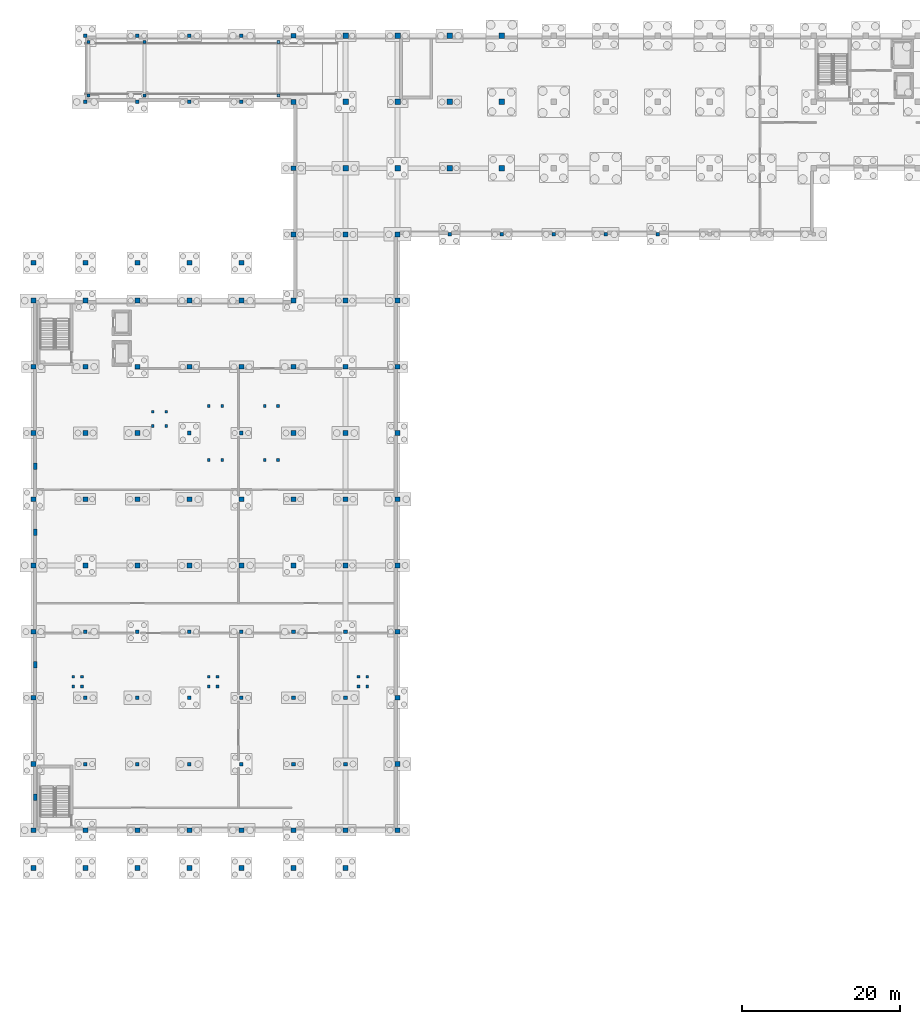
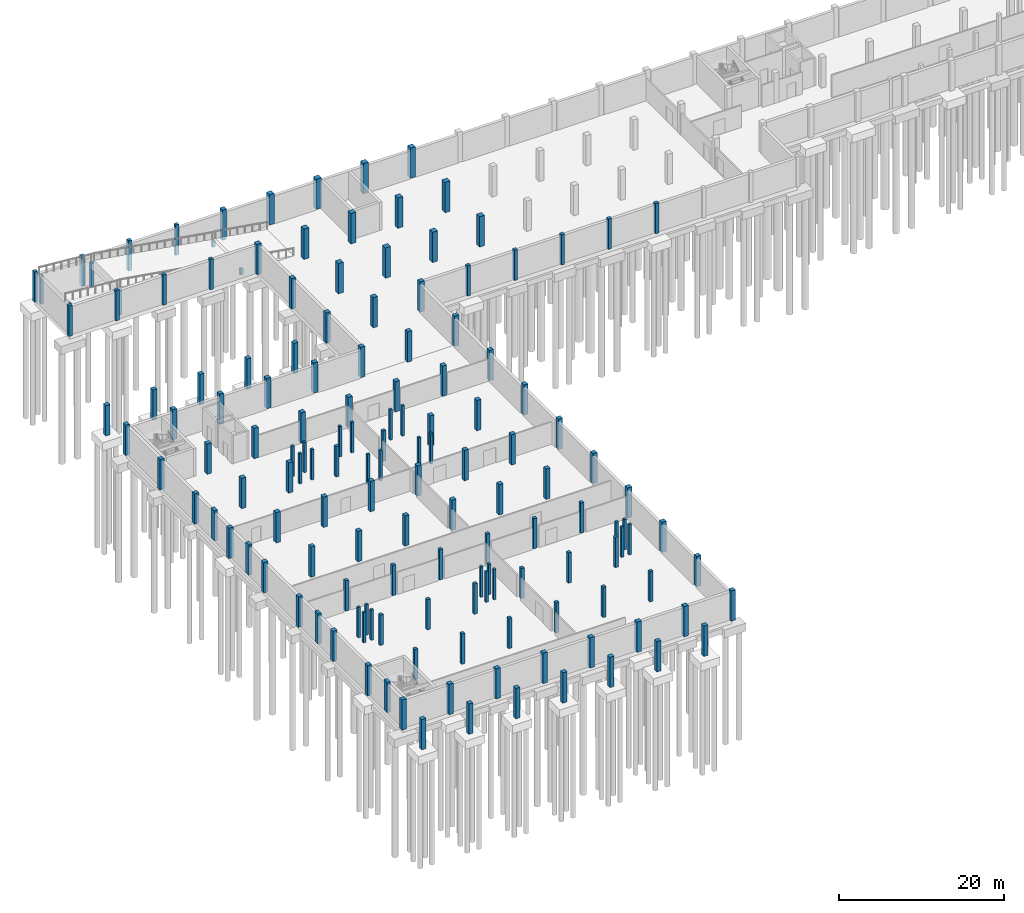
# One storey, part 10 of 25: 149 columns.
"""IFC4 building model written with IfcOpenShell, lengths in metres."""

from ifc_helpers import new_model, si_unit, direction, frame, origin, origin_2d, place, context, subcontext, project, spatial, rectangle, extrude, material, material_profile, profile_set, type_object, element, save


model = new_model("IFC4")

# Units and contexts
model_context = context("Model", 3, precision=1e-05, world=origin(), true_north=direction((0.0, 1.0)))
body_context = subcontext(model_context, "Body", "Model", "MODEL_VIEW")
ifc_project = project(units=[si_unit("LENGTHUNIT", "METRE"), si_unit("AREAUNIT", "SQUARE_METRE"), si_unit("VOLUMEUNIT", "CUBIC_METRE"), si_unit("PLANEANGLEUNIT", "RADIAN"), si_unit("MASSUNIT", "GRAM", prefix="KILO")], contexts=[model_context])

# Site, building, storey
site_placement = place(None, origin())
site = spatial("IfcSite", under=ifc_project, at=site_placement, CompositionType="ELEMENT")
building_placement = place(site_placement, origin())
building = spatial("IfcBuilding", under=site, at=building_placement, Name="Qaldarim Faculty of Natural and Applied Sciences", CompositionType="ELEMENT")
storey_placement = place(building_placement, frame((0.0, 0.0, -4.5)))
storey = spatial("IfcBuildingStorey", under=building, at=storey_placement, Name="B01", CompositionType="ELEMENT", Elevation=-4.5)

# Columns
ifc_material_1 = material(Name="Concrete C40/50", Category="concrete")
ifc_material_profile_1 = material_profile(ifc_material_1, rectangle(XDim=0.35009765625, YDim=0.35009765625, at=origin_2d()), Name="RC-C350x350")
ifc_profile_set_1 = profile_set([ifc_material_profile_1], Name="Concrete C40/50")
column_type_1 = type_object("IfcColumnType", Name="Column-RC350x350", PredefinedType="COLUMN", material=ifc_profile_set_1)
for number, where, z_axis, x_axis, name in (
    (1, (15.14990234375, 68.090087890625, 0.0), (0.0, 0.0, 1.0), (1.0, 0.0, 0.0), "Open stair landing column ST-AT1-L00 SW B01"),
    (2, (16.85009765625, 68.090087890625, 0.0), (0.0, 0.0, 1.0), (1.0, 0.0, 0.0), "Open stair landing column ST-AT1-L00 SE B01"),
    (3, (16.85009765625, 69.889892578125, 0.0), (0.0, 0.0, 1.0), (1.0, 0.0, 0.0), "Open stair landing column ST-AT1-L00 NE B01"),
    (4, (15.14990234375, 69.889892578125, 0.0), (0.0, 0.0, 1.0), (1.0, 0.0, 0.0), "Open stair landing column ST-AT1-L00 NW B01"),
    (5, (22.25, 63.77001953125, 0.0), (0.0, 0.0, 1.0), (1.0, 0.0, 0.0), "Open stair landing column ST-AT1-L01 SW B01"),
    (6, (23.949951171875, 63.77001953125, 0.0), (0.0, 0.0, 1.0), (1.0, 0.0, 0.0), "Open stair landing column ST-AT1-L01 SE B01"),
    (7, (23.949951171875, 70.6298828125, 0.0), (0.0, 0.0, 1.0), (1.0, 0.0, 0.0), "Open stair landing column ST-AT1-L01 NE B01"),
    (8, (22.25, 70.6298828125, 0.0), (0.0, 0.0, 1.0), (1.0, 0.0, 0.0), "Open stair landing column ST-AT1-L01 NW B01"),
    (9, (29.35009765625, 63.77001953125, 0.0), (0.0, 0.0, 1.0), (1.0, 0.0, 0.0), "Open stair landing column ST-AT1-L02 SW B01"),
    (10, (31.050048828125, 63.77001953125, 0.0), (0.0, 0.0, 1.0), (1.0, 0.0, 0.0), "Open stair landing column ST-AT1-L02 SE B01"),
    (11, (31.050048828125, 70.6298828125, 0.0), (0.0, 0.0, 1.0), (1.0, 0.0, 0.0), "Open stair landing column ST-AT1-L02 NE B01"),
    (12, (29.35009765625, 70.6298828125, 0.0), (0.0, 0.0, 1.0), (1.0, 0.0, 0.0), "Open stair landing column ST-AT1-L02 NW B01"),
    (13, (22.25, 35.0400390625, 0.0), (0.0, 0.0, 1.0), (1.0, 0.0, 0.0), "Open stair landing column ST-VM1-L00 SW B01"),
    (14, (23.35009765625, 35.0400390625, 0.0), (0.0, 0.0, 1.0), (1.0, 0.0, 0.0), "Open stair landing column ST-VM1-L00 SE B01"),
    (15, (23.35009765625, 36.2900390625, 0.0), (0.0, 0.0, 1.0), (1.0, 0.0, 0.0), "Open stair landing column ST-VM1-L00 NE B01"),
    (16, (22.25, 36.2900390625, 0.0), (0.0, 0.0, 1.0), (1.0, 0.0, 0.0), "Open stair landing column ST-VM1-L00 NW B01"),
    (17, (41.25, 35.0400390625, 0.0), (0.0, 0.0, 1.0), (1.0, 0.0, 0.0), "Open stair landing column ST-VM2-L00 SW B01"),
    (18, (42.35009765625, 35.0400390625, 0.0), (0.0, 0.0, 1.0), (1.0, 0.0, 0.0), "Open stair landing column ST-VM2-L00 SE B01"),
    (19, (42.35009765625, 36.2900390625, 0.0), (0.0, 0.0, 1.0), (1.0, 0.0, 0.0), "Open stair landing column ST-VM2-L00 NE B01"),
    (20, (41.25, 36.2900390625, 0.0), (0.0, 0.0, 1.0), (1.0, 0.0, 0.0), "Open stair landing column ST-VM2-L00 NW B01"),
    (21, (5.050048828125, 35.0400390625, 0.0), (0.0, 0.0, 1.0), (1.0, 0.0, 0.0), "Open stair landing column ST-VM3-L00 SW B01"),
    (22, (6.14990234375, 35.0400390625, 0.0), (0.0, 0.0, 1.0), (1.0, 0.0, 0.0), "Open stair landing column ST-VM3-L00 SE B01"),
    (23, (6.14990234375, 36.2900390625, 0.0), (0.0, 0.0, 1.0), (1.0, 0.0, 0.0), "Open stair landing column ST-VM3-L00 NE B01"),
    (24, (5.050048828125, 36.2900390625, 0.0), (0.0, 0.0, 1.0), (1.0, 0.0, 0.0), "Open stair landing column ST-VM3-L00 NW B01"),
):
    element("IfcColumn", number, at=place(storey_placement, frame(where, z_axis=z_axis, x_axis=x_axis)), inside=storey, type_object=column_type_1, Name=name, PredefinedType="COLUMN", context=body_context, shape_type="SweptSolid", body=[
        extrude(rectangle(XDim=0.35009765625, YDim=0.35009765625, at=origin_2d()), origin(), (0.0, 0.0, 1.0), 4.5),
    ])
ifc_material_profile_2 = material_profile(ifc_material_1, rectangle(XDim=0.39990234375, YDim=0.39990234375, at=origin_2d()), Name="RC-C400x400")
ifc_profile_set_2 = profile_set([ifc_material_profile_2], Name="Concrete C40/50")
column_type_2 = type_object("IfcColumnType", Name="Column-RC400x400", PredefinedType="COLUMN", material=ifc_profile_set_2)
for number, where, z_axis, x_axis, name in (
    (25, (7.0, 110.0, 0.0), (0.0, 0.0, 1.0), (1.0, 0.0, 0.0), "Vehicle ramp support column TOP S"),
    (26, (7.0, 116.800048828125, 0.0), (0.0, 0.0, 1.0), (1.0, 0.0, 0.0), "Vehicle ramp support column TOP N"),
):
    element("IfcColumn", number, at=place(storey_placement, frame(where, z_axis=z_axis, x_axis=x_axis)), inside=storey, type_object=column_type_2, Name=name, PredefinedType="COLUMN", context=body_context, shape_type="SweptSolid", body=[
        extrude(rectangle(XDim=0.39990234375, YDim=0.39990234375, at=origin_2d()), origin(), (0.0, 0.0, 1.0), 4.135009765625),
    ])
for number, where, z_axis, x_axis, name in (
    (27, (14.10009765625, 110.0, 0.0), (0.0, 0.0, 1.0), (1.0, 0.0, 0.0), "Vehicle ramp support column M1 S"),
    (28, (14.10009765625, 116.800048828125, 0.0), (0.0, 0.0, 1.0), (1.0, 0.0, 0.0), "Vehicle ramp support column M1 N"),
):
    element("IfcColumn", number, at=place(storey_placement, frame(where, z_axis=z_axis, x_axis=x_axis)), inside=storey, type_object=column_type_2, Name=name, PredefinedType="COLUMN", context=body_context, shape_type="SweptSolid", body=[
        extrude(rectangle(XDim=0.39990234375, YDim=0.39990234375, at=origin_2d()), origin(), (0.0, 0.0, 1.0), 3.590087890625),
    ])
for number, where, z_axis, x_axis, name in (
    (29, (31.10009765625, 110.0, 0.0), (0.0, 0.0, 1.0), (1.0, 0.0, 0.0), "Vehicle ramp support column M2 S"),
    (30, (31.10009765625, 116.800048828125, 0.0), (0.0, 0.0, 1.0), (1.0, 0.0, 0.0), "Vehicle ramp support column M2 N"),
):
    element("IfcColumn", number, at=place(storey_placement, frame(where, z_axis=z_axis, x_axis=x_axis)), inside=storey, type_object=column_type_2, Name=name, PredefinedType="COLUMN", context=body_context, shape_type="SweptSolid", body=[
        extrude(rectangle(XDim=0.39990234375, YDim=0.39990234375, at=origin_2d()), origin(), (0.0, 0.0, 1.0), 0.889892578125),
    ])
ifc_material_profile_3 = material_profile(ifc_material_1, rectangle(XDim=0.449951171875, YDim=0.449951171875, at=origin_2d()), Name="RC-C450x450")
ifc_profile_set_3 = profile_set([ifc_material_profile_3], Name="Concrete C40/50")
column_type_3 = type_object("IfcColumnType", Name="Column-RC450x450", PredefinedType="COLUMN", material=ifc_profile_set_3)
for number, where, z_axis, x_axis, name in (
    (31, (6.60009765625, 25.199951171875, 0.0), (0.0, 0.0, 1.0), (1.0, 0.0, 0.0), "Column X02/Y04 B01"),
    (32, (6.60009765625, 33.60009765625, 0.0), (0.0, 0.0, 1.0), (1.0, 0.0, 0.0), "Column X02/Y05 B01"),
    (33, (6.60009765625, 42.0, 0.0), (0.0, 0.0, 1.0), (1.0, 0.0, 0.0), "Column X02/Y06 B01"),
    (34, (6.60009765625, 109.199951171875, 0.0), (0.0, 0.0, 1.0), (1.0, 0.0, 0.0), "Column X02/Y14 B01"),
    (35, (6.60009765625, 117.60009765625, 0.0), (0.0, 0.0, 1.0), (1.0, 0.0, 0.0), "Column X02/Y15 B01"),
    (36, (13.199951171875, 25.199951171875, 0.0), (0.0, 0.0, 1.0), (1.0, 0.0, 0.0), "Column X03/Y04 B01"),
    (37, (13.199951171875, 33.60009765625, 0.0), (0.0, 0.0, 1.0), (1.0, 0.0, 0.0), "Column X03/Y05 B01"),
    (38, (13.199951171875, 42.0, 0.0), (0.0, 0.0, 1.0), (1.0, 0.0, 0.0), "Column X03/Y06 B01"),
    (39, (13.199951171875, 109.199951171875, 0.0), (0.0, 0.0, 1.0), (1.0, 0.0, 0.0), "Column X03/Y14 B01"),
    (40, (13.199951171875, 117.60009765625, 0.0), (0.0, 0.0, 1.0), (1.0, 0.0, 0.0), "Column X03/Y15 B01"),
    (41, (19.800048828125, 25.199951171875, 0.0), (0.0, 0.0, 1.0), (1.0, 0.0, 0.0), "Column X04/Y04 B01"),
    (42, (19.800048828125, 33.60009765625, 0.0), (0.0, 0.0, 1.0), (1.0, 0.0, 0.0), "Column X04/Y05 B01"),
    (43, (19.800048828125, 42.0, 0.0), (0.0, 0.0, 1.0), (1.0, 0.0, 0.0), "Column X04/Y06 B01"),
    (44, (19.800048828125, 67.199951171875, 0.0), (0.0, 0.0, 1.0), (1.0, 0.0, 0.0), "Column X04/Y09 B01"),
    (45, (19.800048828125, 109.199951171875, 0.0), (0.0, 0.0, 1.0), (1.0, 0.0, 0.0), "Column X04/Y14 B01"),
    (46, (19.800048828125, 117.60009765625, 0.0), (0.0, 0.0, 1.0), (1.0, 0.0, 0.0), "Column X04/Y15 B01"),
    (47, (26.39990234375, 25.199951171875, 0.0), (0.0, 0.0, 1.0), (1.0, 0.0, 0.0), "Column X05/Y04 B01"),
    (48, (26.39990234375, 33.60009765625, 0.0), (0.0, 0.0, 1.0), (1.0, 0.0, 0.0), "Column X05/Y05 B01"),
    (49, (26.39990234375, 42.0, 0.0), (0.0, 0.0, 1.0), (1.0, 0.0, 0.0), "Column X05/Y06 B01"),
    (50, (26.39990234375, 67.199951171875, 0.0), (0.0, 0.0, 1.0), (1.0, 0.0, 0.0), "Column X05/Y09 B01"),
    (51, (26.39990234375, 109.199951171875, 0.0), (0.0, 0.0, 1.0), (1.0, 0.0, 0.0), "Column X05/Y14 B01"),
    (52, (26.39990234375, 117.60009765625, 0.0), (0.0, 0.0, 1.0), (1.0, 0.0, 0.0), "Column X05/Y15 B01"),
    (53, (33.0, 25.199951171875, 0.0), (0.0, 0.0, 1.0), (1.0, 0.0, 0.0), "Column X06/Y04 B01"),
    (54, (33.0, 33.60009765625, 0.0), (0.0, 0.0, 1.0), (1.0, 0.0, 0.0), "Column X06/Y05 B01"),
    (55, (33.0, 42.0, 0.0), (0.0, 0.0, 1.0), (1.0, 0.0, 0.0), "Column X06/Y06 B01"),
    (56, (39.60009765625, 25.199951171875, 0.0), (0.0, 0.0, 1.0), (1.0, 0.0, 0.0), "Column X07/Y04 B01"),
    (57, (39.60009765625, 33.60009765625, 0.0), (0.0, 0.0, 1.0), (1.0, 0.0, 0.0), "Column X07/Y05 B01"),
    (58, (39.60009765625, 42.0, 0.0), (0.0, 0.0, 1.0), (1.0, 0.0, 0.0), "Column X07/Y06 B01"),
    (59, (52.800048828125, 92.39990234375, 0.0), (0.0, 0.0, 1.0), (1.0, 0.0, 0.0), "Column X09/Y12 B01"),
    (60, (59.39990234375, 92.39990234375, 0.0), (0.0, 0.0, 1.0), (1.0, 0.0, 0.0), "Column X10/Y12 B01"),
    (61, (66.0, 92.39990234375, 0.0), (0.0, 0.0, 1.0), (1.0, 0.0, 0.0), "Column X11/Y12 B01"),
    (62, (72.60009765625, 92.39990234375, 0.0), (0.0, 0.0, 1.0), (1.0, 0.0, 0.0), "Column X12/Y12 B01"),
    (63, (79.199951171875, 92.39990234375, 0.0), (0.0, 0.0, 1.0), (1.0, 0.0, 0.0), "Column X13/Y12 B01"),
):
    element("IfcColumn", number, at=place(storey_placement, frame(where, z_axis=z_axis, x_axis=x_axis)), inside=storey, type_object=column_type_3, Name=name, PredefinedType="COLUMN", context=body_context, shape_type="SweptSolid", body=[
        extrude(rectangle(XDim=0.449951171875, YDim=0.449951171875, at=origin_2d()), origin(), (0.0, 0.0, 1.0), 4.5),
    ])
ifc_material_2 = material(Name="Concrete C50/60", Category="concrete")
ifc_material_profile_4 = material_profile(ifc_material_2, rectangle(XDim=0.60009765625, YDim=0.60009765625, at=origin_2d()), Name="RC-C600x600")
ifc_profile_set_4 = profile_set([ifc_material_profile_4], Name="Concrete C50/60")
column_type_4 = type_object("IfcColumnType", Name="Column-RC600x600", PredefinedType="COLUMN", material=ifc_profile_set_4)
for number, where, z_axis, x_axis, name in (
    (64, (0.0, 16.800048828125, 0.0), (0.0, 0.0, 1.0), (1.0, 0.0, 0.0), "Column X01/Y03 B01"),
    (65, (0.0, 25.199951171875, 0.0), (0.0, 0.0, 1.0), (1.0, 0.0, 0.0), "Column X01/Y04 B01"),
    (66, (0.0, 33.60009765625, 0.0), (0.0, 0.0, 1.0), (1.0, 0.0, 0.0), "Column X01/Y05 B01"),
    (67, (0.0, 42.0, 0.0), (0.0, 0.0, 1.0), (1.0, 0.0, 0.0), "Column X01/Y06 B01"),
    (68, (0.0, 50.39990234375, 0.0), (0.0, 0.0, 1.0), (1.0, 0.0, 0.0), "Column X01/Y07 B01"),
    (69, (0.0, 58.800048828125, 0.0), (0.0, 0.0, 1.0), (1.0, 0.0, 0.0), "Column X01/Y08 B01"),
    (70, (0.0, 67.199951171875, 0.0), (0.0, 0.0, 1.0), (1.0, 0.0, 0.0), "Column X01/Y09 B01"),
    (71, (0.0, 75.60009765625, 0.0), (0.0, 0.0, 1.0), (1.0, 0.0, 0.0), "Column X01/Y10 B01"),
    (72, (0.0, 84.0, 0.0), (0.0, 0.0, 1.0), (1.0, 0.0, 0.0), "Column X01/Y11 B01"),
    (73, (6.60009765625, 16.800048828125, 0.0), (0.0, 0.0, 1.0), (1.0, 0.0, 0.0), "Column X02/Y03 B01"),
    (74, (6.60009765625, 50.39990234375, 0.0), (0.0, 0.0, 1.0), (1.0, 0.0, 0.0), "Column X02/Y07 B01"),
    (75, (6.60009765625, 58.800048828125, 0.0), (0.0, 0.0, 1.0), (1.0, 0.0, 0.0), "Column X02/Y08 B01"),
    (76, (6.60009765625, 67.199951171875, 0.0), (0.0, 0.0, 1.0), (1.0, 0.0, 0.0), "Column X02/Y09 B01"),
    (77, (6.60009765625, 75.60009765625, 0.0), (0.0, 0.0, 1.0), (1.0, 0.0, 0.0), "Column X02/Y10 B01"),
    (78, (6.60009765625, 84.0, 0.0), (0.0, 0.0, 1.0), (1.0, 0.0, 0.0), "Column X02/Y11 B01"),
    (79, (13.199951171875, 16.800048828125, 0.0), (0.0, 0.0, 1.0), (1.0, 0.0, 0.0), "Column X03/Y03 B01"),
    (80, (13.199951171875, 50.39990234375, 0.0), (0.0, 0.0, 1.0), (1.0, 0.0, 0.0), "Column X03/Y07 B01"),
    (81, (13.199951171875, 58.800048828125, 0.0), (0.0, 0.0, 1.0), (1.0, 0.0, 0.0), "Column X03/Y08 B01"),
    (82, (13.199951171875, 67.199951171875, 0.0), (0.0, 0.0, 1.0), (1.0, 0.0, 0.0), "Column X03/Y09 B01"),
    (83, (13.199951171875, 75.60009765625, 0.0), (0.0, 0.0, 1.0), (1.0, 0.0, 0.0), "Column X03/Y10 B01"),
    (84, (13.199951171875, 84.0, 0.0), (0.0, 0.0, 1.0), (1.0, 0.0, 0.0), "Column X03/Y11 B01"),
    (85, (19.800048828125, 16.800048828125, 0.0), (0.0, 0.0, 1.0), (1.0, 0.0, 0.0), "Column X04/Y03 B01"),
    (86, (19.800048828125, 50.39990234375, 0.0), (0.0, 0.0, 1.0), (1.0, 0.0, 0.0), "Column X04/Y07 B01"),
    (87, (19.800048828125, 58.800048828125, 0.0), (0.0, 0.0, 1.0), (1.0, 0.0, 0.0), "Column X04/Y08 B01"),
    (88, (19.800048828125, 75.60009765625, 0.0), (0.0, 0.0, 1.0), (1.0, 0.0, 0.0), "Column X04/Y10 B01"),
    (89, (19.800048828125, 84.0, 0.0), (0.0, 0.0, 1.0), (1.0, 0.0, 0.0), "Column X04/Y11 B01"),
    (90, (26.39990234375, 16.800048828125, 0.0), (0.0, 0.0, 1.0), (1.0, 0.0, 0.0), "Column X05/Y03 B01"),
    (91, (26.39990234375, 50.39990234375, 0.0), (0.0, 0.0, 1.0), (1.0, 0.0, 0.0), "Column X05/Y07 B01"),
    (92, (26.39990234375, 58.800048828125, 0.0), (0.0, 0.0, 1.0), (1.0, 0.0, 0.0), "Column X05/Y08 B01"),
    (93, (26.39990234375, 75.60009765625, 0.0), (0.0, 0.0, 1.0), (1.0, 0.0, 0.0), "Column X05/Y10 B01"),
    (94, (26.39990234375, 84.0, 0.0), (0.0, 0.0, 1.0), (1.0, 0.0, 0.0), "Column X05/Y11 B01"),
    (95, (33.0, 16.800048828125, 0.0), (0.0, 0.0, 1.0), (1.0, 0.0, 0.0), "Column X06/Y03 B01"),
    (96, (33.0, 50.39990234375, 0.0), (0.0, 0.0, 1.0), (1.0, 0.0, 0.0), "Column X06/Y07 B01"),
    (97, (33.0, 58.800048828125, 0.0), (0.0, 0.0, 1.0), (1.0, 0.0, 0.0), "Column X06/Y08 B01"),
    (98, (33.0, 67.199951171875, 0.0), (0.0, 0.0, 1.0), (1.0, 0.0, 0.0), "Column X06/Y09 B01"),
    (99, (33.0, 75.60009765625, 0.0), (0.0, 0.0, 1.0), (1.0, 0.0, 0.0), "Column X06/Y10 B01"),
    (100, (33.0, 84.0, 0.0), (0.0, 0.0, 1.0), (1.0, 0.0, 0.0), "Column X06/Y11 B01"),
    (101, (33.0, 92.39990234375, 0.0), (0.0, 0.0, 1.0), (1.0, 0.0, 0.0), "Column X06/Y12 B01"),
    (102, (33.0, 100.800048828125, 0.0), (0.0, 0.0, 1.0), (1.0, 0.0, 0.0), "Column X06/Y13 B01"),
    (103, (33.0, 109.199951171875, 0.0), (0.0, 0.0, 1.0), (1.0, 0.0, 0.0), "Column X06/Y14 B01"),
    (104, (33.0, 117.60009765625, 0.0), (0.0, 0.0, 1.0), (1.0, 0.0, 0.0), "Column X06/Y15 B01"),
    (105, (39.60009765625, 16.800048828125, 0.0), (0.0, 0.0, 1.0), (1.0, 0.0, 0.0), "Column X07/Y03 B01"),
    (106, (39.60009765625, 50.39990234375, 0.0), (0.0, 0.0, 1.0), (1.0, 0.0, 0.0), "Column X07/Y07 B01"),
    (107, (39.60009765625, 58.800048828125, 0.0), (0.0, 0.0, 1.0), (1.0, 0.0, 0.0), "Column X07/Y08 B01"),
    (108, (39.60009765625, 67.199951171875, 0.0), (0.0, 0.0, 1.0), (1.0, 0.0, 0.0), "Column X07/Y09 B01"),
    (109, (39.60009765625, 75.60009765625, 0.0), (0.0, 0.0, 1.0), (1.0, 0.0, 0.0), "Column X07/Y10 B01"),
    (110, (39.60009765625, 84.0, 0.0), (0.0, 0.0, 1.0), (1.0, 0.0, 0.0), "Column X07/Y11 B01"),
    (111, (39.60009765625, 92.39990234375, 0.0), (0.0, 0.0, 1.0), (1.0, 0.0, 0.0), "Column X07/Y12 B01"),
    (112, (46.199951171875, 16.800048828125, 0.0), (0.0, 0.0, 1.0), (1.0, 0.0, 0.0), "Column X08/Y03 B01"),
    (113, (46.199951171875, 25.199951171875, 0.0), (0.0, 0.0, 1.0), (1.0, 0.0, 0.0), "Column X08/Y04 B01"),
    (114, (46.199951171875, 33.60009765625, 0.0), (0.0, 0.0, 1.0), (1.0, 0.0, 0.0), "Column X08/Y05 B01"),
    (115, (46.199951171875, 42.0, 0.0), (0.0, 0.0, 1.0), (1.0, 0.0, 0.0), "Column X08/Y06 B01"),
    (116, (46.199951171875, 50.39990234375, 0.0), (0.0, 0.0, 1.0), (1.0, 0.0, 0.0), "Column X08/Y07 B01"),
    (117, (46.199951171875, 58.800048828125, 0.0), (0.0, 0.0, 1.0), (1.0, 0.0, 0.0), "Column X08/Y08 B01"),
    (118, (46.199951171875, 67.199951171875, 0.0), (0.0, 0.0, 1.0), (1.0, 0.0, 0.0), "Column X08/Y09 B01"),
    (119, (46.199951171875, 75.60009765625, 0.0), (0.0, 0.0, 1.0), (1.0, 0.0, 0.0), "Column X08/Y10 B01"),
    (120, (46.199951171875, 84.0, 0.0), (0.0, 0.0, 1.0), (1.0, 0.0, 0.0), "Column X08/Y11 B01"),
    (121, (46.199951171875, 92.39990234375, 0.0), (0.0, 0.0, 1.0), (1.0, 0.0, 0.0), "Column X08/Y12 B01"),
    (122, (0.0, 12.0, 0.0), (0.0, 0.0, 1.0), (1.0, 0.0, 0.0), "Shell south buttress pier 1 B01"),
    (123, (0.0, 88.800048828125, 0.0), (0.0, 0.0, 1.0), (1.0, 0.0, 0.0), "Shell north buttress pier 1 B01"),
    (124, (6.60009765625, 12.0, 0.0), (0.0, 0.0, 1.0), (1.0, 0.0, 0.0), "Shell south buttress pier 2 B01"),
    (125, (6.60009765625, 88.800048828125, 0.0), (0.0, 0.0, 1.0), (1.0, 0.0, 0.0), "Shell north buttress pier 2 B01"),
    (126, (13.199951171875, 12.0, 0.0), (0.0, 0.0, 1.0), (1.0, 0.0, 0.0), "Shell south buttress pier 3 B01"),
    (127, (13.199951171875, 88.800048828125, 0.0), (0.0, 0.0, 1.0), (1.0, 0.0, 0.0), "Shell north buttress pier 3 B01"),
    (128, (19.800048828125, 12.0, 0.0), (0.0, 0.0, 1.0), (1.0, 0.0, 0.0), "Shell south buttress pier 4 B01"),
    (129, (19.800048828125, 88.800048828125, 0.0), (0.0, 0.0, 1.0), (1.0, 0.0, 0.0), "Shell north buttress pier 4 B01"),
    (130, (26.39990234375, 12.0, 0.0), (0.0, 0.0, 1.0), (1.0, 0.0, 0.0), "Shell south buttress pier 5 B01"),
    (131, (26.39990234375, 88.800048828125, 0.0), (0.0, 0.0, 1.0), (1.0, 0.0, 0.0), "Shell north buttress pier 5 B01"),
    (132, (33.0, 12.0, 0.0), (0.0, 0.0, 1.0), (1.0, 0.0, 0.0), "Shell south buttress pier 6 B01"),
    (133, (39.60009765625, 12.0, 0.0), (0.0, 0.0, 1.0), (1.0, 0.0, 0.0), "Shell south buttress pier 7 B01"),
):
    element("IfcColumn", number, at=place(storey_placement, frame(where, z_axis=z_axis, x_axis=x_axis)), inside=storey, type_object=column_type_4, Name=name, PredefinedType="COLUMN", context=body_context, shape_type="SweptSolid", body=[
        extrude(rectangle(XDim=0.60009765625, YDim=0.60009765625, at=origin_2d()), origin(), (0.0, 0.0, 1.0), 4.5),
    ])
ifc_material_profile_5 = material_profile(ifc_material_2, rectangle(XDim=0.699951171875, YDim=0.699951171875, at=origin_2d()), Name="RC-C700x700")
ifc_profile_set_5 = profile_set([ifc_material_profile_5], Name="Concrete C50/60")
column_type_5 = type_object("IfcColumnType", Name="Column-RC700x700", PredefinedType="COLUMN", material=ifc_profile_set_5)
for number, where, z_axis, x_axis, name in (
    (134, (39.60009765625, 100.800048828125, 0.0), (0.0, 0.0, 1.0), (1.0, 0.0, 0.0), "Column X07/Y13 B01"),
    (135, (39.60009765625, 109.199951171875, 0.0), (0.0, 0.0, 1.0), (1.0, 0.0, 0.0), "Column X07/Y14 B01"),
    (136, (39.60009765625, 117.60009765625, 0.0), (0.0, 0.0, 1.0), (1.0, 0.0, 0.0), "Column X07/Y15 B01"),
    (137, (46.199951171875, 100.800048828125, 0.0), (0.0, 0.0, 1.0), (1.0, 0.0, 0.0), "Column X08/Y13 B01"),
    (138, (46.199951171875, 109.199951171875, 0.0), (0.0, 0.0, 1.0), (1.0, 0.0, 0.0), "Column X08/Y14 B01"),
    (139, (46.199951171875, 117.60009765625, 0.0), (0.0, 0.0, 1.0), (1.0, 0.0, 0.0), "Column X08/Y15 B01"),
    (140, (52.800048828125, 100.800048828125, 0.0), (0.0, 0.0, 1.0), (1.0, 0.0, 0.0), "Column X09/Y13 B01"),
    (141, (52.800048828125, 109.199951171875, 0.0), (0.0, 0.0, 1.0), (1.0, 0.0, 0.0), "Column X09/Y14 B01"),
    (142, (52.800048828125, 117.60009765625, 0.0), (0.0, 0.0, 1.0), (1.0, 0.0, 0.0), "Column X09/Y15 B01"),
    (143, (59.39990234375, 100.800048828125, 0.0), (0.0, 0.0, 1.0), (1.0, 0.0, 0.0), "Column X10/Y13 B01"),
    (144, (59.39990234375, 109.199951171875, 0.0), (0.0, 0.0, 1.0), (1.0, 0.0, 0.0), "Column X10/Y14 B01"),
    (145, (59.39990234375, 117.60009765625, 0.0), (0.0, 0.0, 1.0), (1.0, 0.0, 0.0), "Column X10/Y15 B01"),
):
    element("IfcColumn", number, at=place(storey_placement, frame(where, z_axis=z_axis, x_axis=x_axis)), inside=storey, type_object=column_type_5, Name=name, PredefinedType="COLUMN", context=body_context, shape_type="SweptSolid", body=[
        extrude(rectangle(XDim=0.699951171875, YDim=0.699951171875, at=origin_2d()), origin(), (0.0, 0.0, 1.0), 4.5),
    ])
ifc_material_profile_6 = material_profile(ifc_material_2, rectangle(XDim=0.449951171875, YDim=0.800048828125, at=origin_2d()), Name="RC-C450x800")
ifc_profile_set_6 = profile_set([ifc_material_profile_6], Name="Concrete C50/60")
column_type_6 = type_object("IfcColumnType", Name="Pilaster-RC450x800", PredefinedType="PILASTER", material=ifc_profile_set_6)
for number, where, z_axis, x_axis, name in (
    (146, (0.22509765625, 21.0, 0.0), (0.0, 0.0, 1.0), (1.0, 0.0, 0.0), "West facade pilaster B01 bay Y03"),
    (147, (0.22509765625, 37.800048828125, 0.0), (0.0, 0.0, 1.0), (1.0, 0.0, 0.0), "West facade pilaster B01 bay Y05"),
    (148, (0.22509765625, 54.60009765625, 0.0), (0.0, 0.0, 1.0), (1.0, 0.0, 0.0), "West facade pilaster B01 bay Y07"),
    (149, (0.22509765625, 63.0, 0.0), (0.0, 0.0, 1.0), (1.0, 0.0, 0.0), "West facade pilaster B01 bay Y08"),
):
    element("IfcColumn", number, at=place(storey_placement, frame(where, z_axis=z_axis, x_axis=x_axis)), inside=storey, type_object=column_type_6, Name=name, PredefinedType="PILASTER", context=body_context, shape_type="SweptSolid", body=[
        extrude(rectangle(XDim=0.449951171875, YDim=0.800048828125, at=origin_2d()), origin(), (0.0, 0.0, 1.0), 4.5),
    ])

save(model, "model.ifc")
